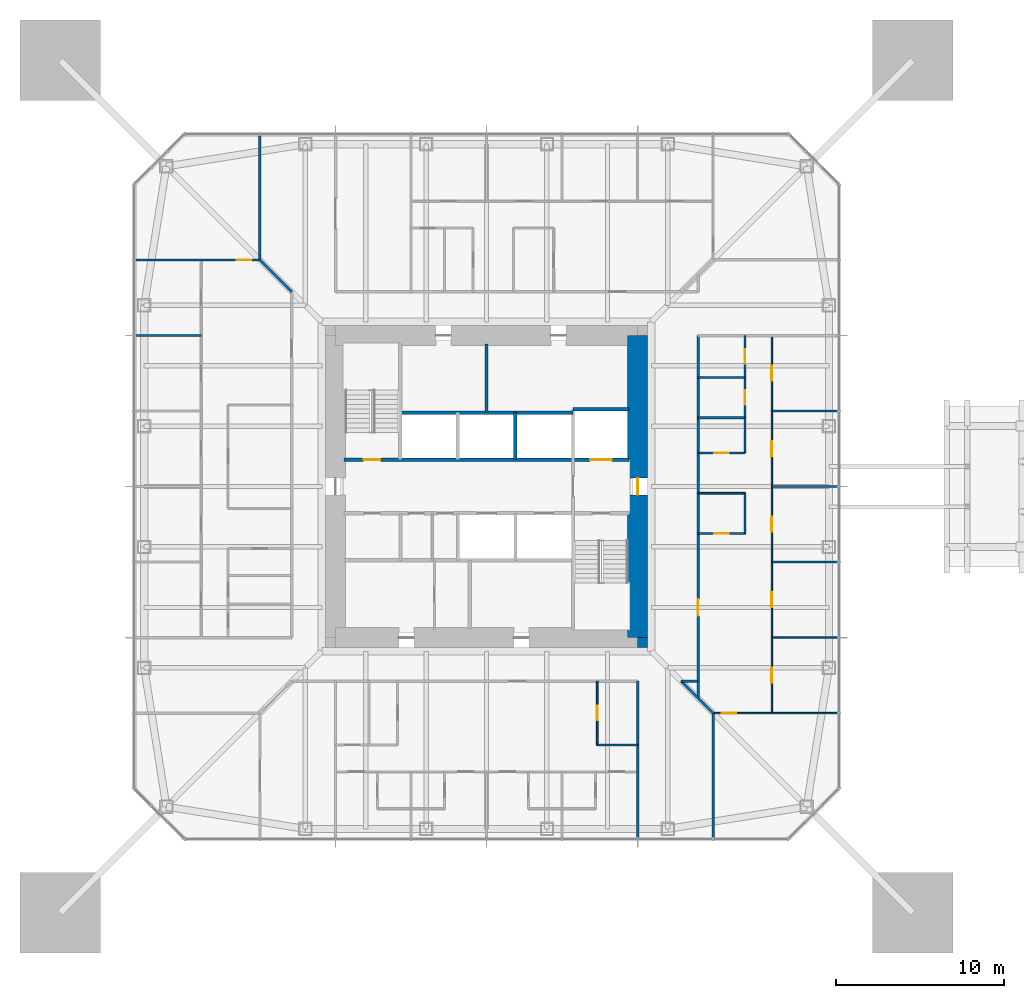
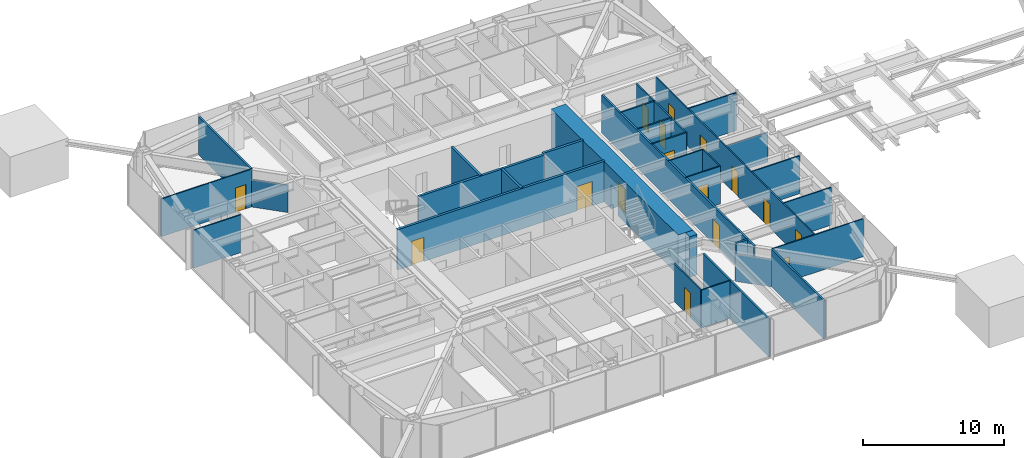
# One storey, part 17 of 27: 31 walls, 16 doors, 16 openings.
"""IFC4 building model written with IfcOpenShell, lengths in metres."""

from ifc_helpers import new_model, si_unit, direction, frame, frame_2d, origin, place, context, subcontext, project, spatial, rectangle, extrude, material, layer, layer_set, type_object, element, fill, save


model = new_model("IFC4")

# Units and contexts
model_context = context("Model", 3, precision=1e-05, world=origin(), true_north=direction((0.0, 1.0)))
body_context = subcontext(model_context, "Body", "Model", "MODEL_VIEW")
ifc_project = project(units=[si_unit("LENGTHUNIT", "METRE"), si_unit("AREAUNIT", "SQUARE_METRE"), si_unit("VOLUMEUNIT", "CUBIC_METRE"), si_unit("PLANEANGLEUNIT", "RADIAN"), si_unit("MASSUNIT", "GRAM", prefix="KILO")], contexts=[model_context])

# Site, building, storey
site_placement = place(None, origin())
site = spatial("IfcSite", under=ifc_project, at=site_placement, CompositionType="ELEMENT")
building_placement = place(site_placement, origin())
building = spatial("IfcBuilding", under=site, at=building_placement, Name="Iwan Alto Co-Living Towers", CompositionType="ELEMENT")
storey_placement = place(building_placement, frame((0.0, 0.0, 94.5)))
storey = spatial("IfcBuildingStorey", under=building, at=storey_placement, Name="L25", CompositionType="ELEMENT", Elevation=94.5)

# Walls
ifc_material_1 = material(Name="Gypsum board")
ifc_layer_1 = layer(ifc_material_1, 0.02490234375, Name="Board", Category="Finish")
ifc_material_2 = material(Name="Steel ASTM A1003 ST33H cold-formed studs", Category="steel")
ifc_layer_2 = layer(ifc_material_2, 0.10009765625, Name="Studs", Category="Framing")
ifc_layer_3 = layer(ifc_material_1, 0.02490234375, Name="Board", Category="Finish")
ifc_layer_set_1 = layer_set([ifc_layer_1, ifc_layer_2, ifc_layer_3], Name="CORRIDOR WALL 150")
wall_type_1 = type_object("IfcWallType", Name="CORRIDOR WALL 150", PredefinedType="PARTITIONING", material=ifc_layer_set_1)
wall_1_placement = place(storey_placement, frame((11.60009765625, -11.60009765625, 0.0), z_axis=(0.0, 0.0, 1.0), x_axis=(1.0, 0.0, 0.0)))
element("IfcWall", 1, at=wall_1_placement, inside=storey, type_object=wall_type_1, Name="Partition L25", PredefinedType="PARTITIONING", context=body_context, shape_type="SweptSolid", body=[
    extrude(rectangle(XDim=1.0, YDim=0.14990234375, at=frame_2d((0.5, 0.0))), origin(), (0.0, 0.0, 1.0), 3.27001953125),
])
wall_2_placement = place(storey_placement, frame((13.5, -20.93994140625, 0.0), z_axis=(0.0, 0.0, 1.0), x_axis=(0.0, 1.0, 0.0)))
element("IfcWall", 2, at=wall_2_placement, inside=storey, type_object=wall_type_1, Name="Partition L25", PredefinedType="PARTITIONING", context=body_context, shape_type="SweptSolid", body=[
    extrude(rectangle(XDim=7.43994140625, YDim=0.14990234375, at=frame_2d((3.719970703125, 0.0))), origin(), (0.0, 0.0, 1.0), 3.27001953125),
])

# Wall, opening, door
wall_3_placement = place(storey_placement, frame((12.60009765625, -12.60009765625, 0.0), z_axis=(0.0, 0.0, 1.0), x_axis=(0.0, 1.0, 0.0)))
wall_3 = element("IfcWall", 3, at=wall_3_placement, inside=storey, type_object=wall_type_1, Name="Partition L25", PredefinedType="PARTITIONING", context=body_context, shape_type="SweptSolid", body=[
    extrude(rectangle(XDim=21.60009765625, YDim=0.14990234375, at=frame_2d((10.800048828125, 0.0))), origin(), (0.0, 0.0, 1.0), 3.27001953125),
])
opening_1_placement = place(wall_3_placement, frame((4.89990234375, 0.0, 0.0)))
opening_1 = element("IfcOpeningElement", 4, at=opening_1_placement, cuts=wall_3, Name="Opening D3", PredefinedType="OPENING", context=body_context, shape_type="SweptSolid", body=[
    extrude(rectangle(XDim=1.0, YDim=2.10009765625, at=frame_2d((0.5, 1.050048828125))), frame((0.0, 0.0849609375, 0.0), z_axis=(0.0, -1.0, 0.0), x_axis=(1.0, 0.0, 0.0)), (0.0, 0.0, 1.0), 0.169921875),
])
ifc_material_3 = material(Name="Steel frame with timber leaf", Category="steel")
door_type_1 = type_object("IfcDoorType", Name="FLAT ENTRANCE DOOR FD30S 1000X2100", OperationType="SINGLE_SWING_LEFT", PredefinedType="DOOR", material=ifc_material_3)
door_1_placement = place(opening_1_placement, frame((1.0, 0.0, 0.0), z_axis=(0.0, 0.0, 1.0), x_axis=(-1.0, 0.0, 0.0)))
door_1 = element("IfcDoor", 5, at=door_1_placement, inside=storey, type_object=door_type_1, Name="Cluster lounge door L25", OperationType="SINGLE_SWING_LEFT", OverallHeight=2.10009765625, OverallWidth=1.0, PredefinedType="DOOR", context=body_context, shape_type="SweptSolid", body=[
    extrude(rectangle(XDim=1.0, YDim=2.10009765625, at=frame_2d((0.5, 1.050048828125))), frame((0.0, 0.02490234375, 0.0), z_axis=(0.0, -1.0, 0.0), x_axis=(1.0, 0.0, 0.0)), (0.0, 0.0, 1.0), 0.050048828125),
])
fill(opening_1, door_1)

# Walls
wall_4_placement = place(storey_placement, frame((9.0, -20.93994140625, 0.0), z_axis=(0.0, 0.0, 1.0), x_axis=(0.0, 1.0, 0.0)))
element("IfcWall", 6, at=wall_4_placement, inside=storey, type_object=wall_type_1, Name="Partition L25", PredefinedType="PARTITIONING", context=body_context, shape_type="SweptSolid", body=[
    extrude(rectangle(XDim=9.33984375, YDim=0.14990234375, at=frame_2d((4.669921875, 0.0))), origin(), (0.0, 0.0, 1.0), 3.27001953125),
])
wall_5_placement = place(storey_placement, frame((-13.5, 13.5, 0.0), z_axis=(0.0, 0.0, 1.0), x_axis=(0.0, 1.0, 0.0)))
element("IfcWall", 7, at=wall_5_placement, inside=storey, type_object=wall_type_1, Name="Partition L25", PredefinedType="PARTITIONING", context=body_context, shape_type="SweptSolid", body=[
    extrude(rectangle(XDim=7.43994140625, YDim=0.14990234375, at=frame_2d((3.719970703125, 0.0))), origin(), (0.0, 0.0, 1.0), 3.27001953125),
])
for number, where, z_axis, x_axis, name in (
    (8, (13.5, -13.5, 0.0), (0.0, 0.0, 1.0), (-0.707106781187, 0.707106781187, 0.0), "Partition L25"),
    (9, (-11.60009765625, 11.60009765625, 0.0), (0.0, 0.0, 1.0), (-0.707106781187, 0.707106781187, 0.0), "Partition L25"),
):
    element("IfcWall", number, at=place(storey_placement, frame(where, z_axis=z_axis, x_axis=x_axis)), inside=storey, type_object=wall_type_1, Name=name, PredefinedType="PARTITIONING", context=body_context, shape_type="SweptSolid", body=[
        extrude(rectangle(XDim=2.686767578125, YDim=0.14990234375, at=frame_2d((1.34326171875, 0.0))), origin(), (0.0, 0.0, 1.0), 2.343017578125),
    ])
ifc_layer_4 = layer(ifc_material_1, 0.012451171875, Name="Board", Category="Finish")
ifc_layer_5 = layer(ifc_material_2, 0.074951171875, Name="Studs", Category="Framing")
ifc_layer_6 = layer(ifc_material_1, 0.012451171875, Name="Board", Category="Finish")
ifc_layer_set_2 = layer_set([ifc_layer_4, ifc_layer_5, ifc_layer_6], Name="PARTITION 100")
wall_type_2 = type_object("IfcWallType", Name="PARTITION 100", PredefinedType="PARTITIONING", material=ifc_layer_set_2)
wall_6_placement = place(storey_placement, frame((6.60009765625, -15.39990234375, 0.0), z_axis=(0.0, 0.0, 1.0), x_axis=(1.0, 0.0, 0.0)))
element("IfcWall", 10, at=wall_6_placement, inside=storey, type_object=wall_type_2, Name="Partition L25", PredefinedType="PARTITIONING", context=body_context, shape_type="SweptSolid", body=[
    extrude(rectangle(XDim=2.39990234375, YDim=0.10009765625, at=frame_2d((1.199951171875, 0.0))), origin(), (0.0, 0.0, 1.0), 3.27001953125),
])

# Wall, opening, door
wall_7_placement = place(storey_placement, frame((13.5, -13.5, 0.0), z_axis=(0.0, 0.0, 1.0), x_axis=(1.0, 0.0, 0.0)))
wall_7 = element("IfcWall", 11, at=wall_7_placement, inside=storey, type_object=wall_type_2, Name="Partition L25", PredefinedType="PARTITIONING", context=body_context, shape_type="SweptSolid", body=[
    extrude(rectangle(XDim=7.43994140625, YDim=0.10009765625, at=frame_2d((3.719970703125, 0.0))), origin(), (0.0, 0.0, 1.0), 3.27001953125),
])
opening_2_placement = place(wall_7_placement, frame((0.52490234375, 0.0, 0.0)))
opening_2 = element("IfcOpeningElement", 12, at=opening_2_placement, cuts=wall_7, Name="Opening D2", PredefinedType="OPENING", context=body_context, shape_type="SweptSolid", body=[
    extrude(rectangle(XDim=0.85009765625, YDim=2.10009765625, at=frame_2d((0.425048828125, 1.050048828125))), frame((0.0, 0.06005859375, 0.0), z_axis=(0.0, -1.0, 0.0), x_axis=(1.0, 0.0, 0.0)), (0.0, 0.0, 1.0), 0.1201171875),
])
ifc_material_4 = material(Name="Timber leaf in steel frame", Category="steel")
door_type_2 = type_object("IfcDoorType", Name="ROOM DOOR 850X2100", OperationType="SINGLE_SWING_LEFT", PredefinedType="DOOR", material=ifc_material_4)
door_2_placement = place(opening_2_placement, origin())
door_2 = element("IfcDoor", 13, at=door_2_placement, inside=storey, type_object=door_type_2, Name="Shared kitchen and lounge door L25", OperationType="SINGLE_SWING_LEFT", OverallHeight=2.10009765625, OverallWidth=0.85009765625, PredefinedType="DOOR", context=body_context, shape_type="SweptSolid", body=[
    extrude(rectangle(XDim=0.85009765625, YDim=2.10009765625, at=frame_2d((0.425048828125, 1.050048828125))), frame((0.0, 0.02490234375, 0.0), z_axis=(0.0, -1.0, 0.0), x_axis=(1.0, 0.0, 0.0)), (0.0, 0.0, 1.0), 0.050048828125),
])
fill(opening_2, door_2)

# Walls
for number, where, z_axis, x_axis, name in (
    (14, (17.0, -9.0, 0.0), (0.0, 0.0, 1.0), (1.0, 0.0, 0.0), "Partition L25"),
    (15, (17.0, -4.5, 0.0), (0.0, 0.0, 1.0), (1.0, 0.0, 0.0), "Partition L25"),
):
    element("IfcWall", number, at=place(storey_placement, frame(where, z_axis=z_axis, x_axis=x_axis)), inside=storey, type_object=wall_type_2, Name=name, PredefinedType="PARTITIONING", context=body_context, shape_type="SweptSolid", body=[
        extrude(rectangle(XDim=3.93994140625, YDim=0.10009765625, at=frame_2d((1.969970703125, 0.0))), origin(), (0.0, 0.0, 1.0), 3.27001953125),
    ])

# Wall, opening, door
wall_8_placement = place(storey_placement, frame((12.60009765625, -2.800048828125, 0.0), z_axis=(0.0, 0.0, 1.0), x_axis=(1.0, 0.0, 0.0)))
wall_8 = element("IfcWall", 16, at=wall_8_placement, inside=storey, type_object=wall_type_2, Name="Partition L25", PredefinedType="PARTITIONING", context=body_context, shape_type="SweptSolid", body=[
    extrude(rectangle(XDim=2.7998046875, YDim=0.10009765625, at=frame_2d((1.39990234375, 0.0))), origin(), (0.0, 0.0, 1.0), 3.27001953125),
])
opening_3_placement = place(wall_8_placement, frame((0.97509765625, 0.0, 0.0)))
opening_3 = element("IfcOpeningElement", 17, at=opening_3_placement, cuts=wall_8, Name="Opening D2", PredefinedType="OPENING", context=body_context, shape_type="SweptSolid", body=[
    extrude(rectangle(XDim=0.85009765625, YDim=2.10009765625, at=frame_2d((0.425048828125, 1.050048828125))), frame((0.0, 0.06005859375, 0.0), z_axis=(0.0, -1.0, 0.0), x_axis=(1.0, 0.0, 0.0)), (0.0, 0.0, 1.0), 0.1201171875),
])
door_3_placement = place(opening_3_placement, frame((0.85009765625, 0.0, 0.0), z_axis=(0.0, 0.0, 1.0), x_axis=(-1.0, 0.0, 0.0)))
door_3 = element("IfcDoor", 18, at=door_3_placement, inside=storey, type_object=door_type_2, Name="Store room door L25", OperationType="SINGLE_SWING_RIGHT", OverallHeight=2.10009765625, OverallWidth=0.85009765625, PredefinedType="DOOR", context=body_context, shape_type="SweptSolid", body=[
    extrude(rectangle(XDim=0.85009765625, YDim=2.10009765625, at=frame_2d((0.425048828125, 1.050048828125))), frame((0.0, 0.02490234375, 0.0), z_axis=(0.0, -1.0, 0.0), x_axis=(1.0, 0.0, 0.0)), (0.0, 0.0, 1.0), 0.050048828125),
])
fill(opening_3, door_3)

# Walls
wall_9_placement = place(storey_placement, frame((12.60009765625, -0.39990234375, 0.0), z_axis=(0.0, 0.0, 1.0), x_axis=(1.0, 0.0, 0.0)))
element("IfcWall", 19, at=wall_9_placement, inside=storey, type_object=wall_type_2, Name="Partition L25", PredefinedType="PARTITIONING", context=body_context, shape_type="SweptSolid", body=[
    extrude(rectangle(XDim=2.7998046875, YDim=0.10009765625, at=frame_2d((1.39990234375, 0.0))), origin(), (0.0, 0.0, 1.0), 3.27001953125),
])
wall_10_placement = place(storey_placement, frame((17.0, 0.0, 0.0), z_axis=(0.0, 0.0, 1.0), x_axis=(1.0, 0.0, 0.0)))
element("IfcWall", 20, at=wall_10_placement, inside=storey, type_object=wall_type_2, Name="Partition L25", PredefinedType="PARTITIONING", context=body_context, shape_type="SweptSolid", body=[
    extrude(rectangle(XDim=3.93994140625, YDim=0.10009765625, at=frame_2d((1.969970703125, 0.0))), origin(), (0.0, 0.0, 1.0), 2.586669921875),
])
for number, where, z_axis, x_axis, name in (
    (21, (17.0, 4.5, 0.0), (0.0, 0.0, 1.0), (1.0, 0.0, 0.0), "Partition L25"),
    (22, (-20.93994140625, 9.0, 0.0), (0.0, 0.0, 1.0), (1.0, 0.0, 0.0), "Partition L25"),
):
    element("IfcWall", number, at=place(storey_placement, frame(where, z_axis=z_axis, x_axis=x_axis)), inside=storey, type_object=wall_type_2, Name=name, PredefinedType="PARTITIONING", context=body_context, shape_type="SweptSolid", body=[
        extrude(rectangle(XDim=3.93994140625, YDim=0.10009765625, at=frame_2d((1.969970703125, 0.0))), origin(), (0.0, 0.0, 1.0), 3.27001953125),
    ])

# Wall, opening, door
wall_11_placement = place(storey_placement, frame((-20.93994140625, 13.5, 0.0), z_axis=(0.0, 0.0, 1.0), x_axis=(1.0, 0.0, 0.0)))
wall_11 = element("IfcWall", 23, at=wall_11_placement, inside=storey, type_object=wall_type_2, Name="Partition L25", PredefinedType="PARTITIONING", context=body_context, shape_type="SweptSolid", body=[
    extrude(rectangle(XDim=7.43994140625, YDim=0.10009765625, at=frame_2d((3.719970703125, 0.0))), origin(), (0.0, 0.0, 1.0), 3.27001953125),
])
opening_4_placement = place(wall_11_placement, frame((6.06494140625, 0.0, 0.0)))
opening_4 = element("IfcOpeningElement", 24, at=opening_4_placement, cuts=wall_11, Name="Opening D2", PredefinedType="OPENING", context=body_context, shape_type="SweptSolid", body=[
    extrude(rectangle(XDim=0.85009765625, YDim=2.10009765625, at=frame_2d((0.425048828125, 1.050048828125))), frame((0.0, 0.06005859375, 0.0), z_axis=(0.0, -1.0, 0.0), x_axis=(1.0, 0.0, 0.0)), (0.0, 0.0, 1.0), 0.1201171875),
])
door_4_placement = place(opening_4_placement, frame((0.85009765625, 0.0, 0.0), z_axis=(0.0, 0.0, 1.0), x_axis=(-1.0, 0.0, 0.0)))
door_4 = element("IfcDoor", 25, at=door_4_placement, inside=storey, type_object=door_type_2, Name="Shared kitchen and lounge door L25", OperationType="SINGLE_SWING_LEFT", OverallHeight=2.10009765625, OverallWidth=0.85009765625, PredefinedType="DOOR", context=body_context, shape_type="SweptSolid", body=[
    extrude(rectangle(XDim=0.85009765625, YDim=2.10009765625, at=frame_2d((0.425048828125, 1.050048828125))), frame((0.0, 0.02490234375, 0.0), z_axis=(0.0, -1.0, 0.0), x_axis=(1.0, 0.0, 0.0)), (0.0, 0.0, 1.0), 0.050048828125),
])
fill(opening_4, door_4)

# Wall, openings, doors
wall_12_placement = place(storey_placement, frame((17.0, -13.5, 0.0), z_axis=(0.0, 0.0, 1.0), x_axis=(0.0, 1.0, 0.0)))
wall_12 = element("IfcWall", 26, at=wall_12_placement, inside=storey, type_object=wall_type_2, Name="Partition L25", PredefinedType="PARTITIONING", context=body_context, shape_type="SweptSolid", body=[
    extrude(rectangle(XDim=22.5, YDim=0.10009765625, at=frame_2d((11.25, 0.0))), origin(), (0.0, 0.0, 1.0), 3.27001953125),
])
opening_5_placement = place(wall_12_placement, frame((1.800048828125, 0.0, 0.0)))
opening_5 = element("IfcOpeningElement", 27, at=opening_5_placement, cuts=wall_12, Name="Opening D1", PredefinedType="OPENING", context=body_context, shape_type="SweptSolid", body=[
    extrude(rectangle(XDim=0.89990234375, YDim=2.10009765625, at=frame_2d((0.449951171875, 1.050048828125))), frame((0.0, 0.06005859375, 0.0), z_axis=(0.0, -1.0, 0.0), x_axis=(1.0, 0.0, 0.0)), (0.0, 0.0, 1.0), 0.1201171875),
])
opening_6_placement = place(wall_12_placement, frame((6.300048828125, 0.0, 0.0)))
opening_6 = element("IfcOpeningElement", 28, at=opening_6_placement, cuts=wall_12, Name="Opening D1", PredefinedType="OPENING", context=body_context, shape_type="SweptSolid", body=[
    extrude(rectangle(XDim=0.89990234375, YDim=2.10009765625, at=frame_2d((0.449951171875, 1.050048828125))), frame((0.0, 0.06005859375, 0.0), z_axis=(0.0, -1.0, 0.0), x_axis=(1.0, 0.0, 0.0)), (0.0, 0.0, 1.0), 0.1201171875),
])
opening_7_placement = place(wall_12_placement, frame((10.800048828125, 0.0, 0.0)))
opening_7 = element("IfcOpeningElement", 29, at=opening_7_placement, cuts=wall_12, Name="Opening D1", PredefinedType="OPENING", context=body_context, shape_type="SweptSolid", body=[
    extrude(rectangle(XDim=0.89990234375, YDim=2.10009765625, at=frame_2d((0.449951171875, 1.050048828125))), frame((0.0, 0.06005859375, 0.0), z_axis=(0.0, -1.0, 0.0), x_axis=(1.0, 0.0, 0.0)), (0.0, 0.0, 1.0), 0.1201171875),
])
opening_8_placement = place(wall_12_placement, frame((15.300048828125, 0.0, 0.0)))
opening_8 = element("IfcOpeningElement", 30, at=opening_8_placement, cuts=wall_12, Name="Opening D1", PredefinedType="OPENING", context=body_context, shape_type="SweptSolid", body=[
    extrude(rectangle(XDim=0.89990234375, YDim=2.10009765625, at=frame_2d((0.449951171875, 1.050048828125))), frame((0.0, 0.06005859375, 0.0), z_axis=(0.0, -1.0, 0.0), x_axis=(1.0, 0.0, 0.0)), (0.0, 0.0, 1.0), 0.1201171875),
])
opening_9_placement = place(wall_12_placement, frame((19.800048828125, 0.0, 0.0)))
opening_9 = element("IfcOpeningElement", 31, at=opening_9_placement, cuts=wall_12, Name="Opening D1", PredefinedType="OPENING", context=body_context, shape_type="SweptSolid", body=[
    extrude(rectangle(XDim=0.89990234375, YDim=2.10009765625, at=frame_2d((0.449951171875, 1.050048828125))), frame((0.0, 0.06005859375, 0.0), z_axis=(0.0, -1.0, 0.0), x_axis=(1.0, 0.0, 0.0)), (0.0, 0.0, 1.0), 0.1201171875),
])
ifc_material_5 = material(Name="Timber leaf in steel frame", Category="steel")
door_type_3 = type_object("IfcDoorType", Name="BEDROOM DOOR 900X2100", OperationType="SINGLE_SWING_LEFT", PredefinedType="DOOR", material=ifc_material_5)
door_5_placement = place(opening_5_placement, origin())
door_5 = element("IfcDoor", 32, at=door_5_placement, inside=storey, type_object=door_type_3, Name="Study bedroom door L25", OperationType="SINGLE_SWING_LEFT", OverallHeight=2.10009765625, OverallWidth=0.89990234375, PredefinedType="DOOR", context=body_context, shape_type="SweptSolid", body=[
    extrude(rectangle(XDim=0.89990234375, YDim=2.10009765625, at=frame_2d((0.449951171875, 1.050048828125))), frame((0.0, 0.02490234375, 0.0), z_axis=(0.0, -1.0, 0.0), x_axis=(1.0, 0.0, 0.0)), (0.0, 0.0, 1.0), 0.050048828125),
])
fill(opening_5, door_5)
door_6_placement = place(opening_6_placement, origin())
door_6 = element("IfcDoor", 33, at=door_6_placement, inside=storey, type_object=door_type_3, Name="Study bedroom door L25", OperationType="SINGLE_SWING_LEFT", OverallHeight=2.10009765625, OverallWidth=0.89990234375, PredefinedType="DOOR", context=body_context, shape_type="SweptSolid", body=[
    extrude(rectangle(XDim=0.89990234375, YDim=2.10009765625, at=frame_2d((0.449951171875, 1.050048828125))), frame((0.0, 0.02490234375, 0.0), z_axis=(0.0, -1.0, 0.0), x_axis=(1.0, 0.0, 0.0)), (0.0, 0.0, 1.0), 0.050048828125),
])
fill(opening_6, door_6)
door_7_placement = place(opening_7_placement, origin())
door_7 = element("IfcDoor", 34, at=door_7_placement, inside=storey, type_object=door_type_3, Name="Study bedroom door L25", OperationType="SINGLE_SWING_LEFT", OverallHeight=2.10009765625, OverallWidth=0.89990234375, PredefinedType="DOOR", context=body_context, shape_type="SweptSolid", body=[
    extrude(rectangle(XDim=0.89990234375, YDim=2.10009765625, at=frame_2d((0.449951171875, 1.050048828125))), frame((0.0, 0.02490234375, 0.0), z_axis=(0.0, -1.0, 0.0), x_axis=(1.0, 0.0, 0.0)), (0.0, 0.0, 1.0), 0.050048828125),
])
fill(opening_7, door_7)
door_8_placement = place(opening_8_placement, origin())
door_8 = element("IfcDoor", 35, at=door_8_placement, inside=storey, type_object=door_type_3, Name="Study bedroom door L25", OperationType="SINGLE_SWING_RIGHT", OverallHeight=2.10009765625, OverallWidth=0.89990234375, PredefinedType="DOOR", context=body_context, shape_type="SweptSolid", body=[
    extrude(rectangle(XDim=0.89990234375, YDim=2.10009765625, at=frame_2d((0.449951171875, 1.050048828125))), frame((0.0, 0.02490234375, 0.0), z_axis=(0.0, -1.0, 0.0), x_axis=(1.0, 0.0, 0.0)), (0.0, 0.0, 1.0), 0.050048828125),
])
fill(opening_8, door_8)
door_9_placement = place(opening_9_placement, origin())
door_9 = element("IfcDoor", 36, at=door_9_placement, inside=storey, type_object=door_type_3, Name="Study bedroom door L25", OperationType="SINGLE_SWING_RIGHT", OverallHeight=2.10009765625, OverallWidth=0.89990234375, PredefinedType="DOOR", context=body_context, shape_type="SweptSolid", body=[
    extrude(rectangle(XDim=0.89990234375, YDim=2.10009765625, at=frame_2d((0.449951171875, 1.050048828125))), frame((0.0, 0.02490234375, 0.0), z_axis=(0.0, -1.0, 0.0), x_axis=(1.0, 0.0, 0.0)), (0.0, 0.0, 1.0), 0.050048828125),
])
fill(opening_9, door_9)

# Wall
wall_13_placement = place(storey_placement, frame((15.39990234375, -2.800048828125, 0.0), z_axis=(0.0, 0.0, 1.0), x_axis=(0.0, 1.0, 0.0)))
element("IfcWall", 37, at=wall_13_placement, inside=storey, type_object=wall_type_2, Name="Partition L25", PredefinedType="PARTITIONING", context=body_context, shape_type="SweptSolid", body=[
    extrude(rectangle(XDim=2.400146484375, YDim=0.10009765625, at=frame_2d((1.2001953125, 0.0))), origin(), (0.0, 0.0, 1.0), 3.27001953125),
])

# Wall, opening, door
wall_14_placement = place(storey_placement, frame((6.60009765625, -15.39990234375, 0.0), z_axis=(0.0, 0.0, 1.0), x_axis=(0.0, 1.0, 0.0)))
wall_14 = element("IfcWall", 38, at=wall_14_placement, inside=storey, type_object=wall_type_2, Name="Partition L25", PredefinedType="PARTITIONING", context=body_context, shape_type="SweptSolid", body=[
    extrude(rectangle(XDim=3.7998046875, YDim=0.10009765625, at=frame_2d((1.89990234375, 0.0))), origin(), (0.0, 0.0, 1.0), 3.27001953125),
])
opening_10_placement = place(wall_14_placement, frame((1.47509765625, 0.0, 0.0)))
opening_10 = element("IfcOpeningElement", 39, at=opening_10_placement, cuts=wall_14, Name="Opening D2", PredefinedType="OPENING", context=body_context, shape_type="SweptSolid", body=[
    extrude(rectangle(XDim=0.85009765625, YDim=2.10009765625, at=frame_2d((0.425048828125, 1.050048828125))), frame((0.0, 0.06005859375, 0.0), z_axis=(0.0, -1.0, 0.0), x_axis=(1.0, 0.0, 0.0)), (0.0, 0.0, 1.0), 0.1201171875),
])
door_10_placement = place(opening_10_placement, origin())
door_10 = element("IfcDoor", 40, at=door_10_placement, inside=storey, type_object=door_type_2, Name="Study room door L25", OperationType="SINGLE_SWING_RIGHT", OverallHeight=2.10009765625, OverallWidth=0.85009765625, PredefinedType="DOOR", context=body_context, shape_type="SweptSolid", body=[
    extrude(rectangle(XDim=0.85009765625, YDim=2.10009765625, at=frame_2d((0.425048828125, 1.050048828125))), frame((0.0, 0.02490234375, 0.0), z_axis=(0.0, -1.0, 0.0), x_axis=(1.0, 0.0, 0.0)), (0.0, 0.0, 1.0), 0.050048828125),
])
fill(opening_10, door_10)

# Wall, openings, doors
ifc_material_6 = material(Name="Concrete f'c 70 MPa", Category="concrete")
ifc_layer_7 = layer(ifc_material_6, 0.199951171875)
ifc_layer_set_3 = layer_set([ifc_layer_7], Name="SHAFT WALL 200")
wall_type_3 = type_object("IfcWallType", Name="SHAFT WALL 200", PredefinedType="SOLIDWALL", material=ifc_layer_set_3)
wall_15_placement = place(storey_placement, frame((-8.489990234375, 1.60009765625, 0.0), z_axis=(0.0, 0.0, 1.0), x_axis=(1.0, 0.0, 0.0)))
wall_15 = element("IfcWall", 41, at=wall_15_placement, inside=storey, type_object=wall_type_3, Name="Shaft wall L25", PredefinedType="SOLIDWALL", context=body_context, shape_type="SweptSolid", body=[
    extrude(rectangle(XDim=16.97998046875, YDim=0.199951171875, at=frame_2d((8.489990234375, 0.0))), origin(), (0.0, 0.0, 1.0), 3.5),
])
opening_11_placement = place(wall_15_placement, frame((1.169921875, 0.0, 0.0)))
opening_11 = element("IfcOpeningElement", 42, at=opening_11_placement, cuts=wall_15, Name="Opening D5", PredefinedType="OPENING", context=body_context, shape_type="SweptSolid", body=[
    extrude(rectangle(XDim=1.0, YDim=2.10009765625, at=frame_2d((0.5, 1.050048828125))), frame((0.0, 0.10986328125, 0.0), z_axis=(0.0, -1.0, 0.0), x_axis=(1.0, 0.0, 0.0)), (0.0, 0.0, 1.0), 0.219970703125),
])
opening_12_placement = place(wall_15_placement, frame((14.659912109375, 0.0, 0.0)))
opening_12 = element("IfcOpeningElement", 43, at=opening_12_placement, cuts=wall_15, Name="Opening LD2", PredefinedType="OPENING", context=body_context, shape_type="SweptSolid", body=[
    extrude(rectangle(XDim=1.300048828125, YDim=2.10009765625, at=frame_2d((0.64990234375, 1.050048828125))), frame((0.0, 0.10986328125, 0.0), z_axis=(0.0, -1.0, 0.0), x_axis=(1.0, 0.0, 0.0)), (0.0, 0.0, 1.0), 0.219970703125),
])
ifc_material_7 = material(Name="Steel frame with timber leaf", Category="steel")
door_type_4 = type_object("IfcDoorType", Name="LIFT LANDING DOOR 1300X2100", OperationType="SLIDING_TO_LEFT", PredefinedType="DOOR", material=ifc_material_7)
door_11_placement = place(opening_12_placement, origin())
door_11 = element("IfcDoor", 44, at=door_11_placement, inside=storey, type_object=door_type_4, Name="Lift FL1 landing door L25", OperationType="SLIDING_TO_LEFT", OverallHeight=2.10009765625, OverallWidth=1.300048828125, PredefinedType="DOOR", context=body_context, shape_type="SweptSolid", body=[
    extrude(rectangle(XDim=1.300048828125, YDim=2.10009765625, at=frame_2d((0.64990234375, 1.050048828125))), frame((0.0, 0.02490234375, 0.0), z_axis=(0.0, -1.0, 0.0), x_axis=(1.0, 0.0, 0.0)), (0.0, 0.0, 1.0), 0.050048828125),
])
fill(opening_12, door_11)
ifc_material_8 = material(Name="Steel frame with timber leaf", Category="steel")
door_type_5 = type_object("IfcDoorType", Name="STAIR DOOR FD120S 1000X2100", OperationType="SINGLE_SWING_LEFT", PredefinedType="DOOR", material=ifc_material_8)
door_12_placement = place(opening_11_placement, origin())
door_12 = element("IfcDoor", 45, at=door_12_placement, inside=storey, type_object=door_type_5, Name="Stair S1 door L25", OperationType="SINGLE_SWING_RIGHT", OverallHeight=2.10009765625, OverallWidth=1.0, PredefinedType="DOOR", context=body_context, shape_type="SweptSolid", body=[
    extrude(rectangle(XDim=1.0, YDim=2.10009765625, at=frame_2d((0.5, 1.050048828125))), frame((0.0, 0.02490234375, 0.0), z_axis=(0.0, -1.0, 0.0), x_axis=(1.0, 0.0, 0.0)), (0.0, 0.0, 1.0), 0.050048828125),
])
fill(opening_11, door_12)

# Walls
wall_16_placement = place(storey_placement, frame((-5.14990234375, 4.39990234375, 0.0), z_axis=(0.0, 0.0, 1.0), x_axis=(1.0, 0.0, 0.0)))
element("IfcWall", 46, at=wall_16_placement, inside=storey, type_object=wall_type_3, Name="Shaft wall L25", PredefinedType="SOLIDWALL", context=body_context, shape_type="SweptSolid", body=[
    extrude(rectangle(XDim=10.2998046875, YDim=0.199951171875, at=frame_2d((5.14990234375, 0.0))), origin(), (0.0, 0.0, 1.0), 3.5),
])
wall_17_placement = place(storey_placement, frame((5.14990234375, 4.60009765625, 0.0), z_axis=(0.0, 0.0, 1.0), x_axis=(1.0, 0.0, 0.0)))
element("IfcWall", 47, at=wall_17_placement, inside=storey, type_object=wall_type_3, Name="Shaft wall L25", PredefinedType="SOLIDWALL", context=body_context, shape_type="SweptSolid", body=[
    extrude(rectangle(XDim=3.340087890625, YDim=0.199951171875, at=frame_2d((1.669921875, 0.0))), origin(), (0.0, 0.0, 1.0), 3.5),
])
wall_18_placement = place(storey_placement, frame((1.717041015625, 1.60009765625, 0.0), z_axis=(0.0, 0.0, 1.0), x_axis=(0.0, 1.0, 0.0)))
element("IfcWall", 48, at=wall_18_placement, inside=storey, type_object=wall_type_3, Name="Shaft wall L25", PredefinedType="SOLIDWALL", context=body_context, shape_type="SweptSolid", body=[
    extrude(rectangle(XDim=2.7998046875, YDim=0.199951171875, at=frame_2d((1.39990234375, 0.0))), origin(), (0.0, 0.0, 1.0), 3.5),
])
wall_19_placement = place(storey_placement, frame((0.0, 4.39990234375, 0.0), z_axis=(0.0, 0.0, 1.0), x_axis=(0.0, 1.0, 0.0)))
element("IfcWall", 49, at=wall_19_placement, inside=storey, type_object=wall_type_3, Name="Shaft wall L25", PredefinedType="SOLIDWALL", context=body_context, shape_type="SweptSolid", body=[
    extrude(rectangle(XDim=4.090087890625, YDim=0.199951171875, at=frame_2d((2.044921875, 0.0))), origin(), (0.0, 0.0, 1.0), 3.5),
])
ifc_material_9 = material(Name="Concrete f'c 70 MPa", Category="concrete")
ifc_layer_8 = layer(ifc_material_9, 0.60009765625)
ifc_layer_set_4 = layer_set([ifc_layer_8], Name="T1 CORE CORNER FILL 600")
wall_type_4 = type_object("IfcWallType", Name="T1 CORE CORNER FILL 600", PredefinedType="SOLIDWALL", material=ifc_layer_set_4)
wall_20_placement = place(storey_placement, frame((9.0, -9.300048828125, 0.0), z_axis=(0.0, 0.0, 1.0), x_axis=(1.0, 0.0, 0.0)))
element("IfcWall", 50, at=wall_20_placement, inside=storey, type_object=wall_type_4, Name="T1 core corner SE L25", PredefinedType="SOLIDWALL", context=body_context, shape_type="SweptSolid", body=[
    extrude(rectangle(XDim=0.60009765625, YDim=0.60009765625, at=frame_2d((0.300048828125, 0.0))), origin(), (0.0, 0.0, 1.0), 3.5),
])

# Wall, opening, door
ifc_material_10 = material(Name="Concrete f'c 70 MPa", Category="concrete")
ifc_layer_9 = layer(ifc_material_10, 1.199951171875)
ifc_layer_set_5 = layer_set([ifc_layer_9], Name="T1 CORE WALL 1200")
wall_type_5 = type_object("IfcWallType", Name="T1 CORE WALL 1200", PredefinedType="SHEAR", material=ifc_layer_set_5)
wall_21_placement = place(storey_placement, frame((9.0, -9.0, 0.0), z_axis=(0.0, 0.0, 1.0), x_axis=(0.0, 1.0, 0.0)))
wall_21 = element("IfcWall", 51, at=wall_21_placement, inside=storey, type_object=wall_type_5, Name="T1 core wall E L25", PredefinedType="SHEAR", context=body_context, shape_type="SweptSolid", body=[
    extrude(rectangle(XDim=18.0, YDim=1.199951171875, at=frame_2d((9.0, 0.0))), origin(), (0.0, 0.0, 1.0), 3.5),
])
opening_13_placement = place(wall_21_placement, frame((8.5, 0.0, 0.0)))
opening_13 = element("IfcOpeningElement", 52, at=opening_13_placement, cuts=wall_21, Name="Opening D7", PredefinedType="OPENING", context=body_context, shape_type="SweptSolid", body=[
    extrude(rectangle(XDim=1.0, YDim=2.10009765625, at=frame_2d((0.5, 1.050048828125))), frame((0.0, 0.60986328125, 0.0), z_axis=(0.0, -1.0, 0.0), x_axis=(1.0, 0.0, 0.0)), (0.0, 0.0, 1.0), 1.219970703125),
])
ifc_material_11 = material(Name="Steel frame with timber leaf", Category="steel")
door_type_6 = type_object("IfcDoorType", Name="CORE DOOR FD120S 1000X2100", OperationType="SINGLE_SWING_LEFT", PredefinedType="DOOR", material=ifc_material_11)
door_13_placement = place(opening_13_placement, origin())
door_13 = element("IfcDoor", 53, at=door_13_placement, inside=storey, type_object=door_type_6, Name="Firefighting lobby core door L25", OperationType="SINGLE_SWING_LEFT", OverallHeight=2.10009765625, OverallWidth=1.0, PredefinedType="DOOR", context=body_context, shape_type="SweptSolid", body=[
    extrude(rectangle(XDim=1.0, YDim=2.10009765625, at=frame_2d((0.5, 1.050048828125))), frame((0.0, 0.02490234375, 0.0), z_axis=(0.0, -1.0, 0.0), x_axis=(1.0, 0.0, 0.0)), (0.0, 0.0, 1.0), 0.050048828125),
])
fill(opening_13, door_13)

ifc_material_12 = material(Name="Cement board")
ifc_layer_10 = layer(ifc_material_12, 0.012451171875, Name="Board", Category="Finish")
ifc_layer_11 = layer(ifc_material_2, 0.094970703125, Name="Studs", Category="Framing")
ifc_layer_12 = layer(ifc_material_12, 0.012451171875, Name="Board", Category="Finish")
ifc_layer_set_6 = layer_set([ifc_layer_10, ifc_layer_11, ifc_layer_12], Name="WET AREA PARTITION 120")
wall_type_6 = type_object("IfcWallType", Name="WET AREA PARTITION 120", PredefinedType="PARTITIONING", material=ifc_layer_set_6)
wall_22_placement = place(storey_placement, frame((12.60009765625, 2.0, 0.0), z_axis=(0.0, 0.0, 1.0), x_axis=(1.0, 0.0, 0.0)))
wall_22 = element("IfcWall", 54, at=wall_22_placement, inside=storey, type_object=wall_type_6, Name="Partition L25", PredefinedType="PARTITIONING", context=body_context, shape_type="SweptSolid", body=[
    extrude(rectangle(XDim=2.7998046875, YDim=0.1201171875, at=frame_2d((1.39990234375, 0.0))), origin(), (0.0, 0.0, 1.0), 3.27001953125),
])
opening_14_placement = place(wall_22_placement, frame((0.97509765625, 0.0, 0.0)))
opening_14 = element("IfcOpeningElement", 55, at=opening_14_placement, cuts=wall_22, Name="Opening D2", PredefinedType="OPENING", context=body_context, shape_type="SweptSolid", body=[
    extrude(rectangle(XDim=0.85009765625, YDim=2.10009765625, at=frame_2d((0.425048828125, 1.050048828125))), frame((0.0, 0.070068359375, 0.0), z_axis=(0.0, -1.0, 0.0), x_axis=(1.0, 0.0, 0.0)), (0.0, 0.0, 1.0), 0.14013671875),
])
door_14_placement = place(opening_14_placement, frame((0.85009765625, 0.0, 0.0), z_axis=(0.0, 0.0, 1.0), x_axis=(-1.0, 0.0, 0.0)))
door_14 = element("IfcDoor", 56, at=door_14_placement, inside=storey, type_object=door_type_2, Name="Bathroom door L25", OperationType="SINGLE_SWING_RIGHT", OverallHeight=2.10009765625, OverallWidth=0.85009765625, PredefinedType="DOOR", context=body_context, shape_type="SweptSolid", body=[
    extrude(rectangle(XDim=0.85009765625, YDim=2.10009765625, at=frame_2d((0.425048828125, 1.050048828125))), frame((0.0, 0.02490234375, 0.0), z_axis=(0.0, -1.0, 0.0), x_axis=(1.0, 0.0, 0.0)), (0.0, 0.0, 1.0), 0.050048828125),
])
fill(opening_14, door_14)

# Walls
for number, where, z_axis, x_axis, name in (
    (57, (12.60009765625, 4.10009765625, 0.0), (0.0, 0.0, 1.0), (1.0, 0.0, 0.0), "Partition L25"),
    (58, (12.60009765625, 6.5, 0.0), (0.0, 0.0, 1.0), (1.0, 0.0, 0.0), "Partition L25"),
):
    element("IfcWall", number, at=place(storey_placement, frame(where, z_axis=z_axis, x_axis=x_axis)), inside=storey, type_object=wall_type_6, Name=name, PredefinedType="PARTITIONING", context=body_context, shape_type="SweptSolid", body=[
        extrude(rectangle(XDim=2.7998046875, YDim=0.1201171875, at=frame_2d((1.39990234375, 0.0))), origin(), (0.0, 0.0, 1.0), 3.27001953125),
    ])

# Wall, openings, doors
wall_23_placement = place(storey_placement, frame((15.39990234375, 2.0, 0.0), z_axis=(0.0, 0.0, 1.0), x_axis=(0.0, 1.0, 0.0)))
wall_23 = element("IfcWall", 59, at=wall_23_placement, inside=storey, type_object=wall_type_6, Name="Partition L25", PredefinedType="PARTITIONING", context=body_context, shape_type="SweptSolid", body=[
    extrude(rectangle(XDim=7.0, YDim=0.1201171875, at=frame_2d((3.5, 0.0))), origin(), (0.0, 0.0, 1.0), 3.27001953125),
])
opening_15_placement = place(wall_23_placement, frame((2.875, 0.0, 0.0)))
opening_15 = element("IfcOpeningElement", 60, at=opening_15_placement, cuts=wall_23, Name="Opening D2", PredefinedType="OPENING", context=body_context, shape_type="SweptSolid", body=[
    extrude(rectangle(XDim=0.85009765625, YDim=2.10009765625, at=frame_2d((0.425048828125, 1.050048828125))), frame((0.0, 0.070068359375, 0.0), z_axis=(0.0, -1.0, 0.0), x_axis=(1.0, 0.0, 0.0)), (0.0, 0.0, 1.0), 0.14013671875),
])
opening_16_placement = place(wall_23_placement, frame((5.324951171875, 0.0, 0.0)))
opening_16 = element("IfcOpeningElement", 61, at=opening_16_placement, cuts=wall_23, Name="Opening D2", PredefinedType="OPENING", context=body_context, shape_type="SweptSolid", body=[
    extrude(rectangle(XDim=0.85009765625, YDim=2.10009765625, at=frame_2d((0.425048828125, 1.050048828125))), frame((0.0, 0.070068359375, 0.0), z_axis=(0.0, -1.0, 0.0), x_axis=(1.0, 0.0, 0.0)), (0.0, 0.0, 1.0), 0.14013671875),
])
door_15_placement = place(opening_15_placement, frame((0.85009765625, 0.0, 0.0), z_axis=(0.0, 0.0, 1.0), x_axis=(-1.0, 0.0, 0.0)))
door_15 = element("IfcDoor", 62, at=door_15_placement, inside=storey, type_object=door_type_2, Name="Accessible bathroom door L25", OperationType="SINGLE_SWING_LEFT", OverallHeight=2.10009765625, OverallWidth=0.85009765625, PredefinedType="DOOR", context=body_context, shape_type="SweptSolid", body=[
    extrude(rectangle(XDim=0.85009765625, YDim=2.10009765625, at=frame_2d((0.425048828125, 1.050048828125))), frame((0.0, 0.02490234375, 0.0), z_axis=(0.0, -1.0, 0.0), x_axis=(1.0, 0.0, 0.0)), (0.0, 0.0, 1.0), 0.050048828125),
])
fill(opening_15, door_15)
door_16_placement = place(opening_16_placement, frame((0.85009765625, 0.0, 0.0), z_axis=(0.0, 0.0, 1.0), x_axis=(-1.0, 0.0, 0.0)))
door_16 = element("IfcDoor", 63, at=door_16_placement, inside=storey, type_object=door_type_2, Name="Laundry door L25", OperationType="SINGLE_SWING_LEFT", OverallHeight=2.10009765625, OverallWidth=0.85009765625, PredefinedType="DOOR", context=body_context, shape_type="SweptSolid", body=[
    extrude(rectangle(XDim=0.85009765625, YDim=2.10009765625, at=frame_2d((0.425048828125, 1.050048828125))), frame((0.0, 0.02490234375, 0.0), z_axis=(0.0, -1.0, 0.0), x_axis=(1.0, 0.0, 0.0)), (0.0, 0.0, 1.0), 0.050048828125),
])
fill(opening_16, door_16)

save(model, "model.ifc")
